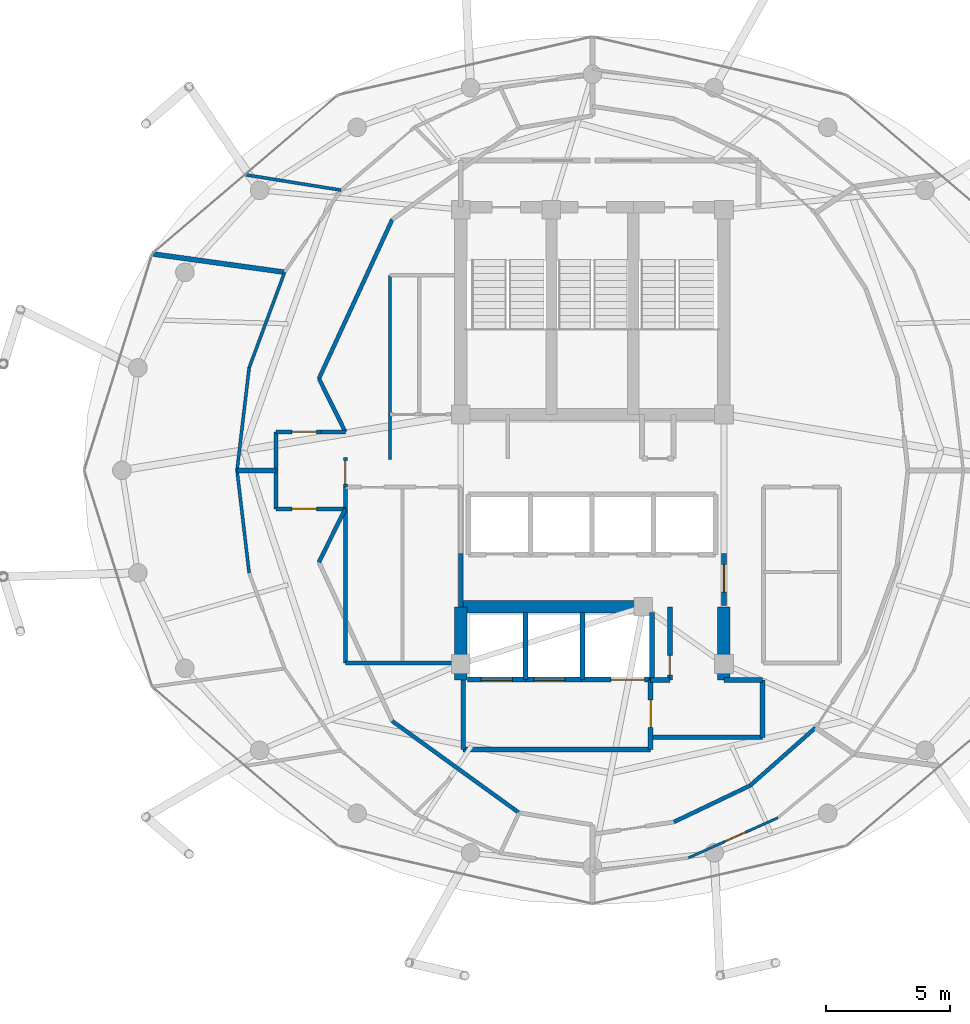
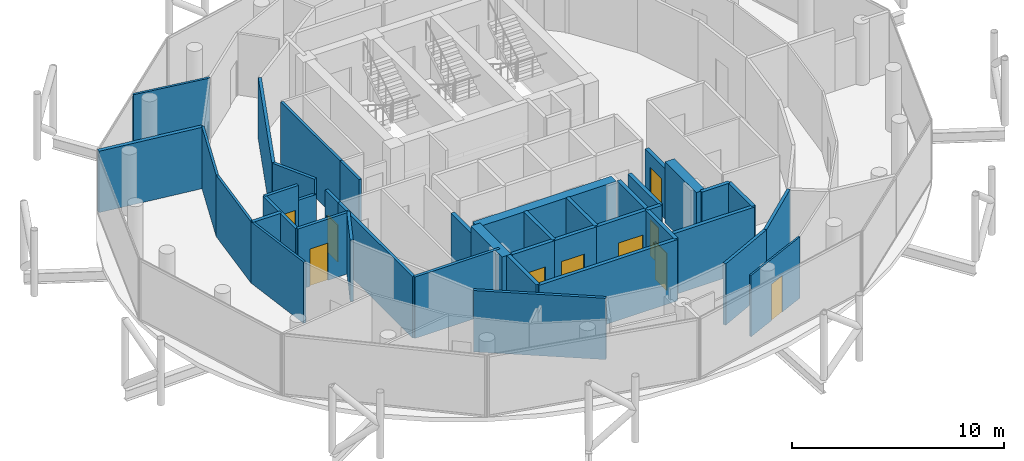
# One storey, part 20 of 24: 41 walls, 10 doors, 10 openings.
"""IFC4 building model written with IfcOpenShell, lengths in metres."""

from ifc_helpers import new_model, si_unit, direction, frame, frame_2d, origin, place, context, subcontext, project, spatial, rectangle, extrude, material, layer, layer_set, type_object, element, fill, save


model = new_model("IFC4")

# Units and contexts
model_context = context("Model", 3, precision=1e-05, world=origin(), true_north=direction((0.0, 1.0)))
body_context = subcontext(model_context, "Body", "Model", "MODEL_VIEW")
ifc_project = project(units=[si_unit("LENGTHUNIT", "METRE"), si_unit("AREAUNIT", "SQUARE_METRE"), si_unit("VOLUMEUNIT", "CUBIC_METRE"), si_unit("PLANEANGLEUNIT", "RADIAN"), si_unit("MASSUNIT", "GRAM", prefix="KILO")], contexts=[model_context])

# Site, building, storey
site_placement = place(None, origin())
site = spatial("IfcSite", under=ifc_project, at=site_placement, CompositionType="ELEMENT")
building_placement = place(site_placement, origin())
building = spatial("IfcBuilding", under=site, at=building_placement, Name="Nuhasar Tower", CompositionType="ELEMENT")
storey_placement = place(building_placement, frame((0.0, 0.0, 267.0)))
storey = spatial("IfcBuildingStorey", under=building, at=storey_placement, Name="L66", CompositionType="ELEMENT", Elevation=267.0)

# Walls
ifc_material_1 = material(Name="Concrete C50/60", Category="concrete")
ifc_layer_1 = layer(ifc_material_1, 0.5)
ifc_layer_set_1 = layer_set([ifc_layer_1], Name="Concrete C50/60")
wall_type_1 = type_object("IfcWallType", Name="WL-CORE-500", PredefinedType="SHEAR", material=ifc_layer_set_1)
for number, where, z_axis, x_axis, name in (
    (1, (33.699951171875, 18.35009765625, 0.0), (0.0, 0.0, 1.0), (0.0, 1.0, 0.0), "L66 Core Shear Wall CW-SW CW-500"),
    (2, (44.300048828125, 18.35009765625, 0.0), (0.0, 0.0, 1.0), (0.0, 1.0, 0.0), "L66 Core Shear Wall CW-SE CW-500"),
):
    element("IfcWall", number, at=place(storey_placement, frame(where, z_axis=z_axis, x_axis=x_axis)), inside=storey, type_object=wall_type_1, Name=name, PredefinedType="SHEAR", context=body_context, shape_type="SweptSolid", body=[
        extrude(rectangle(XDim=2.949951171875, YDim=0.5, at=frame_2d((1.47509765625, 0.0))), origin(), (0.0, 0.0, 1.0), 3.5400390625),
    ])
wall_1_placement = place(storey_placement, frame((33.699951171875, 21.300048828125, 0.0), z_axis=(0.0, 0.0, 1.0), x_axis=(1.0, 0.0, 0.0)))
element("IfcWall", 3, at=wall_1_placement, inside=storey, type_object=wall_type_1, Name="L66 Core Shear Wall CW-S1 CW-500", PredefinedType="SHEAR", context=body_context, shape_type="SweptSolid", body=[
    extrude(rectangle(XDim=7.550048828125, YDim=0.5, at=frame_2d((3.77490234375, 0.0))), origin(), (0.0, 0.0, 1.0), 3.5400390625),
])
ifc_material_2 = material(Name="Gypsum Board", Category="gypsum")
ifc_layer_2 = layer(ifc_material_2, 0.159912109375)
ifc_layer_set_2 = layer_set([ifc_layer_2], Name="Gypsum Board")
wall_type_2 = type_object("IfcWallType", Name="WL-CORR-160", PredefinedType="PARTITIONING", material=ifc_layer_set_2)
wall_2_placement = place(storey_placement, frame((29.050048828125, 19.050048828125, 0.0), z_axis=(0.0, 0.0, 1.0), x_axis=(1.0, 0.0, 0.0)))
element("IfcWall", 4, at=wall_2_placement, inside=storey, type_object=wall_type_2, Name="L66 Interior Partition RECL-B1-S", PredefinedType="PARTITIONING", context=body_context, shape_type="SweptSolid", body=[
    extrude(rectangle(XDim=4.64990234375, YDim=0.159912109375, at=frame_2d((2.324951171875, 0.0))), origin(), (0.0, 0.0, 1.0), 3.5400390625),
])
wall_3_placement = place(storey_placement, frame((29.050048828125, 19.050048828125, 0.0), z_axis=(0.0, 0.0, 1.0), x_axis=(0.0, 1.0, 0.0)))
element("IfcWall", 5, at=wall_3_placement, inside=storey, type_object=wall_type_2, Name="L66 Interior Partition RECL-B1-W", PredefinedType="PARTITIONING", context=body_context, shape_type="SweptSolid", body=[
    extrude(rectangle(XDim=7.070068359375, YDim=0.159912109375, at=frame_2d((3.53515625, 0.0))), origin(), (0.0, 0.0, 1.0), 3.5400390625),
])

# Wall, opening, door
wall_4_placement = place(storey_placement, frame((29.050048828125, 26.1201171875, 0.0), z_axis=(0.0, 0.0, 1.0), x_axis=(0.0, 1.0, 0.0)))
wall_4 = element("IfcWall", 6, at=wall_4_placement, inside=storey, type_object=wall_type_2, Name="L66 Interior Partition WVEST-E", PredefinedType="PARTITIONING", context=body_context, shape_type="SweptSolid", body=[
    extrude(rectangle(XDim=1.199951171875, YDim=0.159912109375, at=frame_2d((0.60009765625, 0.0))), origin(), (0.0, 0.0, 1.0), 3.5400390625),
])
opening_1_placement = place(wall_4_placement, frame((0.125, 0.0, 0.0)))
opening_1 = element("IfcOpeningElement", 7, at=opening_1_placement, cuts=wall_4, Name="Opening DO-01", PredefinedType="OPENING", context=body_context, shape_type="SweptSolid", body=[
    extrude(rectangle(XDim=0.949951171875, YDim=2.14990234375, at=frame_2d((0.47509765625, 1.074951171875))), frame((0.0, 0.08984375, 0.0), z_axis=(0.0, -1.0, 0.0), x_axis=(1.0, 0.0, 0.0)), (0.0, 0.0, 1.0), 0.179931640625),
])
ifc_material_3 = material(Name="Timber Oak", Category="wood")
door_type_1 = type_object("IfcDoorType", Name="DR-OFFICE-FD30-950", OperationType="NOTDEFINED", PredefinedType="DOOR", material=ifc_material_3)
door_1_placement = place(opening_1_placement, origin())
door_1 = element("IfcDoor", 8, at=door_1_placement, inside=storey, type_object=door_type_1, Name="L66 West Arrival Foyer Core Door", OperationType="SINGLE_SWING_RIGHT", OverallHeight=2.14990234375, OverallWidth=0.949951171875, PredefinedType="DOOR", context=body_context, shape_type="SweptSolid", body=[
    extrude(rectangle(XDim=0.949951171875, YDim=2.14990234375, at=frame_2d((0.47509765625, 1.074951171875))), frame((0.0, 0.02490234375, 0.0), z_axis=(0.0, -1.0, 0.0), x_axis=(1.0, 0.0, 0.0)), (0.0, 0.0, 1.0), 0.050048828125),
])
fill(opening_1, door_1)

# Walls
wall_5_placement = place(storey_placement, frame((42.2900390625, 12.639892578125, 0.0), z_axis=(0.0, 0.0, 1.0), x_axis=(0.902332393805, 0.431040892596, 0.0)))
element("IfcWall", 9, at=wall_5_placement, inside=storey, type_object=wall_type_2, Name="L66 Interior Partition CORR-38", PredefinedType="PARTITIONING", context=body_context, shape_type="SweptSolid", body=[
    extrude(rectangle(XDim=3.396728515625, YDim=0.159912109375, at=frame_2d((1.6982421875, 0.0))), origin(), (0.0, 0.0, 1.0), 3.5400390625),
])
wall_6_placement = place(storey_placement, frame((45.35498046875, 14.10400390625, 0.0), z_axis=(0.0, 0.0, 1.0), x_axis=(0.748756574311, 0.662845074226, 0.0)))
element("IfcWall", 10, at=wall_6_placement, inside=storey, type_object=wall_type_2, Name="L66 Interior Partition CORR-40", PredefinedType="PARTITIONING", context=body_context, shape_type="SweptSolid", body=[
    extrude(rectangle(XDim=3.515380859375, YDim=0.159912109375, at=frame_2d((1.7578125, 0.0))), origin(), (0.0, 0.0, 1.0), 3.5400390625),
])
wall_7_placement = place(storey_placement, frame((30.93896484375, 36.89697265625, 0.0), z_axis=(0.0, 0.0, 1.0), x_axis=(-0.41866934876, -0.908138742929, 0.0)))
element("IfcWall", 11, at=wall_7_placement, inside=storey, type_object=wall_type_2, Name="L66 Interior Partition UWEST-CORE-N2-18", PredefinedType="PARTITIONING", context=body_context, shape_type="SweptSolid", body=[
    extrude(rectangle(XDim=7.04833984375, YDim=0.159912109375, at=frame_2d((3.524169921875, 0.0))), origin(), (0.0, 0.0, 1.0), 3.5400390625),
])
wall_8_placement = place(storey_placement, frame((30.93896484375, 16.702880859375, 0.0), z_axis=(0.0, 0.0, 1.0), x_axis=(0.810290119061, -0.586028943784, 0.0)))
element("IfcWall", 12, at=wall_8_placement, inside=storey, type_object=wall_type_2, Name="L66 Interior Partition UWEST-CORE-S1-30", PredefinedType="PARTITIONING", context=body_context, shape_type="SweptSolid", body=[
    extrude(rectangle(XDim=6.306396484375, YDim=0.159912109375, at=frame_2d((3.1533203125, 0.0))), origin(), (0.0, 0.0, 1.0), 3.5400390625),
])

# Wall, opening, door
wall_9_placement = place(storey_placement, frame((26.25, 28.35009765625, 0.0), z_axis=(0.0, 0.0, 1.0), x_axis=(1.0, 0.0, 0.0)))
wall_9 = element("IfcWall", 13, at=wall_9_placement, inside=storey, type_object=wall_type_2, Name="L66 Interior Partition WVEST-N", PredefinedType="PARTITIONING", context=body_context, shape_type="SweptSolid", body=[
    extrude(rectangle(XDim=1.820068359375, YDim=0.159912109375, at=frame_2d((0.91015625, 0.0))), origin(), (0.0, 0.0, 1.0), 3.5400390625),
])
opening_2_placement = place(wall_9_placement, frame((0.64990234375, 0.0, 0.0)))
opening_2 = element("IfcOpeningElement", 14, at=opening_2_placement, cuts=wall_9, Name="Opening DU-02", PredefinedType="OPENING", context=body_context, shape_type="SweptSolid", body=[
    extrude(rectangle(XDim=1.0, YDim=2.14990234375, at=frame_2d((0.5, 1.074951171875))), frame((0.0, 0.08984375, 0.0), z_axis=(0.0, -1.0, 0.0), x_axis=(1.0, 0.0, 0.0)), (0.0, 0.0, 1.0), 0.179931640625),
])
door_type_2 = type_object("IfcDoorType", Name="DR-FLAT-FD60-1000", OperationType="NOTDEFINED", PredefinedType="DOOR", material=ifc_material_3)
door_2_placement = place(opening_2_placement, origin())
door_2 = element("IfcDoor", 15, at=door_2_placement, inside=storey, type_object=door_type_2, Name="L66 North-West Sky Home Entrance", OperationType="SINGLE_SWING_LEFT", OverallHeight=2.14990234375, OverallWidth=1.0, PredefinedType="DOOR", context=body_context, shape_type="SweptSolid", body=[
    extrude(rectangle(XDim=1.0, YDim=2.14990234375, at=frame_2d((0.5, 1.074951171875))), frame((0.0, 0.02490234375, 0.0), z_axis=(0.0, -1.0, 0.0), x_axis=(1.0, 0.0, 0.0)), (0.0, 0.0, 1.0), 0.050048828125),
])
fill(opening_2, door_2)

# Wall
wall_10_placement = place(storey_placement, frame((28.070068359375, 28.35009765625, 0.0), z_axis=(0.0, 0.0, 1.0), x_axis=(1.0, 0.0, 0.0)))
element("IfcWall", 16, at=wall_10_placement, inside=storey, type_object=wall_type_2, Name="L66 Interior Partition WVEST-N", PredefinedType="PARTITIONING", context=body_context, shape_type="SweptSolid", body=[
    extrude(rectangle(XDim=0.97998046875, YDim=0.159912109375, at=frame_2d((0.489990234375, 0.0))), origin(), (0.0, 0.0, 1.0), 2.679931640625),
])

# Wall, opening, door
wall_11_placement = place(storey_placement, frame((26.25, 25.25, 0.0), z_axis=(0.0, 0.0, 1.0), x_axis=(1.0, 0.0, 0.0)))
wall_11 = element("IfcWall", 17, at=wall_11_placement, inside=storey, type_object=wall_type_2, Name="L66 Interior Partition WVEST-S", PredefinedType="PARTITIONING", context=body_context, shape_type="SweptSolid", body=[
    extrude(rectangle(XDim=2.800048828125, YDim=0.159912109375, at=frame_2d((1.39990234375, 0.0))), origin(), (0.0, 0.0, 1.0), 3.5400390625),
])
opening_3_placement = place(wall_11_placement, frame((0.64990234375, 0.0, 0.0)))
opening_3 = element("IfcOpeningElement", 18, at=opening_3_placement, cuts=wall_11, Name="Opening DU-02", PredefinedType="OPENING", context=body_context, shape_type="SweptSolid", body=[
    extrude(rectangle(XDim=1.0, YDim=2.14990234375, at=frame_2d((0.5, 1.074951171875))), frame((0.0, 0.08984375, 0.0), z_axis=(0.0, -1.0, 0.0), x_axis=(1.0, 0.0, 0.0)), (0.0, 0.0, 1.0), 0.179931640625),
])
door_3_placement = place(opening_3_placement, origin())
door_3 = element("IfcDoor", 19, at=door_3_placement, inside=storey, type_object=door_type_2, Name="L66 South-West Sky Home Entrance", OperationType="SINGLE_SWING_LEFT", OverallHeight=2.14990234375, OverallWidth=1.0, PredefinedType="DOOR", context=body_context, shape_type="SweptSolid", body=[
    extrude(rectangle(XDim=1.0, YDim=2.14990234375, at=frame_2d((0.5, 1.074951171875))), frame((0.0, 0.02490234375, 0.0), z_axis=(0.0, -1.0, 0.0), x_axis=(1.0, 0.0, 0.0)), (0.0, 0.0, 1.0), 0.050048828125),
])
fill(opening_3, door_3)

# Walls
wall_12_placement = place(storey_placement, frame((26.25, 25.25, 0.0), z_axis=(0.0, 0.0, 1.0), x_axis=(0.0, 1.0, 0.0)))
element("IfcWall", 20, at=wall_12_placement, inside=storey, type_object=wall_type_2, Name="L66 Interior Partition WVEST-W", PredefinedType="PARTITIONING", context=body_context, shape_type="SweptSolid", body=[
    extrude(rectangle(XDim=3.10009765625, YDim=0.159912109375, at=frame_2d((1.550048828125, 0.0))), origin(), (0.0, 0.0, 1.0), 3.5400390625),
])
for number, where, z_axis, x_axis, name in (
    (21, (27.988037109375, 30.49609375, 0.0), (0.0, 0.0, 1.0), (0.443539160525, -0.896254993337, 0.0), "L66 Interior Partition WVEST-CN"),
    (22, (27.988037109375, 23.10400390625, 0.0), (0.0, 0.0, 1.0), (0.443539160525, 0.896254993337, 0.0), "L66 Interior Partition WVEST-CS"),
):
    element("IfcWall", number, at=place(storey_placement, frame(where, z_axis=z_axis, x_axis=x_axis)), inside=storey, type_object=wall_type_2, Name=name, PredefinedType="PARTITIONING", context=body_context, shape_type="SweptSolid", body=[
        extrude(rectangle(XDim=2.394287109375, YDim=0.159912109375, at=frame_2d((1.197265625, 0.0))), origin(), (0.0, 0.0, 1.0), 3.5400390625),
    ])
ifc_material_4 = material(Name="Concrete C45/55", Category="concrete")
ifc_layer_3 = layer(ifc_material_4, 0.199951171875)
ifc_layer_set_3 = layer_set([ifc_layer_3], Name="Concrete C45/55")
wall_type_3 = type_object("IfcWallType", Name="WL-LOBBY-200", PredefinedType="SOLIDWALL", material=ifc_layer_set_3)
wall_13_placement = place(storey_placement, frame((33.699951171875, 21.300048828125, 0.0), z_axis=(0.0, 0.0, 1.0), x_axis=(0.0, 1.0, 0.0)))
element("IfcWall", 23, at=wall_13_placement, inside=storey, type_object=wall_type_3, Name="L66 Interior Partition LLBH-W", PredefinedType="SOLIDWALL", context=body_context, shape_type="SweptSolid", body=[
    extrude(rectangle(XDim=2.14990234375, YDim=0.199951171875, at=frame_2d((1.074951171875, 0.0))), origin(), (0.0, 0.0, 1.0), 2.925048828125),
])

# Wall, opening, door
wall_14_placement = place(storey_placement, frame((44.300048828125, 21.35009765625, 0.0), z_axis=(0.0, 0.0, 1.0), x_axis=(0.0, 1.0, 0.0)))
wall_14 = element("IfcWall", 24, at=wall_14_placement, inside=storey, type_object=wall_type_3, Name="L66 Interior Partition LLBH-E", PredefinedType="SOLIDWALL", context=body_context, shape_type="SweptSolid", body=[
    extrude(rectangle(XDim=2.099853515625, YDim=0.199951171875, at=frame_2d((1.0498046875, 0.0))), origin(), (0.0, 0.0, 1.0), 2.925048828125),
])
opening_4_placement = place(wall_14_placement, frame((0.550048828125, 0.0, 0.0)))
opening_4 = element("IfcOpeningElement", 25, at=opening_4_placement, cuts=wall_14, Name="Opening DS-02", PredefinedType="OPENING", context=body_context, shape_type="SweptSolid", body=[
    extrude(rectangle(XDim=1.10009765625, YDim=2.14990234375, at=frame_2d((0.550048828125, 1.074951171875))), frame((0.0, 0.10986328125, 0.0), z_axis=(0.0, -1.0, 0.0), x_axis=(1.0, 0.0, 0.0)), (0.0, 0.0, 1.0), 0.219970703125),
])
ifc_material_5 = material(Name="Steel S355", Category="steel")
door_type_3 = type_object("IfcDoorType", Name="DR-FFL-FD120-1100", OperationType="NOTDEFINED", PredefinedType="DOOR", material=ifc_material_5)
door_4_placement = place(opening_4_placement, origin())
door_4 = element("IfcDoor", 26, at=door_4_placement, inside=storey, type_object=door_type_3, Name="L66 High-Rise Lobby East Door", OperationType="SINGLE_SWING_RIGHT", OverallHeight=2.14990234375, OverallWidth=1.10009765625, PredefinedType="DOOR", context=body_context, shape_type="SweptSolid", body=[
    extrude(rectangle(XDim=1.10009765625, YDim=2.14990234375, at=frame_2d((0.550048828125, 1.074951171875))), frame((0.0, 0.02490234375, 0.0), z_axis=(0.0, -1.0, 0.0), x_axis=(1.0, 0.0, 0.0)), (0.0, 0.0, 1.0), 0.050048828125),
])
fill(opening_4, door_4)

# Walls
wall_15_placement = place(storey_placement, frame((33.800048828125, 15.550048828125, 0.0), z_axis=(0.0, 0.0, 1.0), x_axis=(1.0, 0.0, 0.0)))
element("IfcWall", 27, at=wall_15_placement, inside=storey, type_object=wall_type_3, Name="L66 Interior Partition FFL-S", PredefinedType="SOLIDWALL", context=body_context, shape_type="SweptSolid", body=[
    extrude(rectangle(XDim=7.550048828125, YDim=0.199951171875, at=frame_2d((3.77490234375, 0.0))), origin(), (0.0, 0.0, 1.0), 3.5400390625),
])
wall_16_placement = place(storey_placement, frame((33.800048828125, 15.550048828125, 0.0), z_axis=(0.0, 0.0, 1.0), x_axis=(0.0, 1.0, 0.0)))
element("IfcWall", 28, at=wall_16_placement, inside=storey, type_object=wall_type_3, Name="L66 Interior Partition FFL-W", PredefinedType="SOLIDWALL", context=body_context, shape_type="SweptSolid", body=[
    extrude(rectangle(XDim=2.800048828125, YDim=0.199951171875, at=frame_2d((1.39990234375, 0.0))), origin(), (0.0, 0.0, 1.0), 3.5400390625),
])

# Wall, opening, door
wall_17_placement = place(storey_placement, frame((41.35009765625, 15.550048828125, 0.0), z_axis=(0.0, 0.0, 1.0), x_axis=(0.0, 1.0, 0.0)))
wall_17 = element("IfcWall", 29, at=wall_17_placement, inside=storey, type_object=wall_type_3, Name="L66 Interior Partition FFL-E", PredefinedType="SOLIDWALL", context=body_context, shape_type="SweptSolid", body=[
    extrude(rectangle(XDim=2.800048828125, YDim=0.199951171875, at=frame_2d((1.39990234375, 0.0))), origin(), (0.0, 0.0, 1.0), 3.5400390625),
])
opening_5_placement = place(wall_17_placement, frame((0.89990234375, 0.0, 0.0)))
opening_5 = element("IfcOpeningElement", 30, at=opening_5_placement, cuts=wall_17, Name="Opening DS-02", PredefinedType="OPENING", context=body_context, shape_type="SweptSolid", body=[
    extrude(rectangle(XDim=1.10009765625, YDim=2.14990234375, at=frame_2d((0.550048828125, 1.074951171875))), frame((0.0, 0.10986328125, 0.0), z_axis=(0.0, -1.0, 0.0), x_axis=(1.0, 0.0, 0.0)), (0.0, 0.0, 1.0), 0.219970703125),
])
door_5_placement = place(opening_5_placement, origin())
door_5 = element("IfcDoor", 31, at=door_5_placement, inside=storey, type_object=door_type_3, Name="L66 Firefighting Lobby Door", OperationType="SINGLE_SWING_RIGHT", OverallHeight=2.14990234375, OverallWidth=1.10009765625, PredefinedType="DOOR", context=body_context, shape_type="SweptSolid", body=[
    extrude(rectangle(XDim=1.10009765625, YDim=2.14990234375, at=frame_2d((0.550048828125, 1.074951171875))), frame((0.0, 0.02490234375, 0.0), z_axis=(0.0, -1.0, 0.0), x_axis=(1.0, 0.0, 0.0)), (0.0, 0.0, 1.0), 0.050048828125),
])
fill(opening_5, door_5)

# Walls
wall_18_placement = place(storey_placement, frame((41.35009765625, 16.050048828125, 0.0), z_axis=(0.0, 0.0, 1.0), x_axis=(1.0, 0.0, 0.0)))
element("IfcWall", 32, at=wall_18_placement, inside=storey, type_object=wall_type_3, Name="L66 Interior Partition SVLV-S", PredefinedType="SOLIDWALL", context=body_context, shape_type="SweptSolid", body=[
    extrude(rectangle(XDim=4.5, YDim=0.199951171875, at=frame_2d((2.25, 0.0))), origin(), (0.0, 0.0, 1.0), 3.5400390625),
])
wall_19_placement = place(storey_placement, frame((45.85009765625, 16.050048828125, 0.0), z_axis=(0.0, 0.0, 1.0), x_axis=(0.0, 1.0, 0.0)))
element("IfcWall", 33, at=wall_19_placement, inside=storey, type_object=wall_type_3, Name="L66 Interior Partition SVLV-E", PredefinedType="SOLIDWALL", context=body_context, shape_type="SweptSolid", body=[
    extrude(rectangle(XDim=2.300048828125, YDim=0.199951171875, at=frame_2d((1.14990234375, 0.0))), origin(), (0.0, 0.0, 1.0), 3.5400390625),
])
wall_20_placement = place(storey_placement, frame((44.300048828125, 18.35009765625, 0.0), z_axis=(0.0, 0.0, 1.0), x_axis=(1.0, 0.0, 0.0)))
element("IfcWall", 34, at=wall_20_placement, inside=storey, type_object=wall_type_3, Name="L66 Interior Partition SVLV-N", PredefinedType="SOLIDWALL", context=body_context, shape_type="SweptSolid", body=[
    extrude(rectangle(XDim=1.550048828125, YDim=0.199951171875, at=frame_2d((0.77490234375, 0.0))), origin(), (0.0, 0.0, 1.0), 3.5400390625),
])

# Wall, opening, door
ifc_material_6 = material(Name="Aluminium 6063-T6", Category="aluminium")
ifc_layer_4 = layer(ifc_material_6, 0.10009765625)
ifc_layer_set_4 = layer_set([ifc_layer_4], Name="Aluminium 6063-T6")
wall_type_4 = type_object("IfcWallType", Name="WL-MOVABLE-100", PredefinedType="MOVABLE", material=ifc_layer_set_4)
wall_21_placement = place(storey_placement, frame((42.866943359375, 11.19091796875, 0.0), z_axis=(0.0, 0.0, 1.0), x_axis=(0.912616745569, 0.408816188166, 0.0)))
wall_21 = element("IfcWall", 35, at=wall_21_placement, inside=storey, type_object=wall_type_4, Name="L66 Interior Partition UMID5-01-38", PredefinedType="MOVABLE", context=body_context, shape_type="SweptSolid", body=[
    extrude(rectangle(XDim=3.947998046875, YDim=0.10009765625, at=frame_2d((1.97412109375, 0.0))), origin(), (0.0, 0.0, 1.0), 3.5400390625),
])
opening_6_placement = place(wall_21_placement, frame((1.6259765625, 0.0, 0.0)))
opening_6 = element("IfcOpeningElement", 36, at=opening_6_placement, cuts=wall_21, Name="Opening DR-01", PredefinedType="OPENING", context=body_context, shape_type="SweptSolid", body=[
    extrude(rectangle(XDim=0.89990234375, YDim=2.10009765625, at=frame_2d((0.449951171875, 1.050048828125))), frame((0.0, 0.06005859375, 0.0), z_axis=(0.0, -1.0, 0.0), x_axis=(1.0, 0.0, 0.0)), (0.0, 0.0, 1.0), 0.1201171875),
])
door_type_4 = type_object("IfcDoorType", Name="DR-ROOM-900", OperationType="NOTDEFINED", PredefinedType="DOOR", material=ifc_material_3)
door_6_placement = place(opening_6_placement, origin())
door_6 = element("IfcDoor", 37, at=door_6_placement, inside=storey, type_object=door_type_4, Name="L66 Private Chancellery Office 1 Inner Door", OperationType="SINGLE_SWING_RIGHT", OverallHeight=2.10009765625, OverallWidth=0.89990234375, PredefinedType="DOOR", context=body_context, shape_type="SweptSolid", body=[
    extrude(rectangle(XDim=0.89990234375, YDim=2.10009765625, at=frame_2d((0.449951171875, 1.050048828125))), frame((0.0, 0.02490234375, 0.0), z_axis=(0.0, -1.0, 0.0), x_axis=(1.0, 0.0, 0.0)), (0.0, 0.0, 1.0), 0.050048828125),
])
fill(opening_6, door_6)

# Walls
ifc_layer_5 = layer(ifc_material_2, 0.125)
ifc_layer_set_5 = layer_set([ifc_layer_5], Name="Gypsum Board")
wall_type_5 = type_object("IfcWallType", Name="WL-PART-125", PredefinedType="PARTITIONING", material=ifc_layer_set_5)
wall_22_placement = place(storey_placement, frame((26.60693359375, 34.780029296875, 0.0), z_axis=(0.0, 0.0, 1.0), x_axis=(-0.348032750503, -0.937482375609, 0.0)))
element("IfcWall", 38, at=wall_22_placement, inside=storey, type_object=wall_type_5, Name="L66 Interior Partition USM-1-D-20", PredefinedType="PARTITIONING", context=body_context, shape_type="SweptSolid", body=[
    extrude(rectangle(XDim=4.105712890625, YDim=0.125, at=frame_2d((2.052734375, 0.0))), origin(), (0.0, 0.0, 1.0), 3.5400390625),
])
wall_23_placement = place(storey_placement, frame((25.177978515625, 30.930908203125, 0.0), z_axis=(0.0, 0.0, 1.0), x_axis=(-0.117328208879, -0.993093193714, 0.0)))
element("IfcWall", 39, at=wall_23_placement, inside=storey, type_object=wall_type_5, Name="L66 Interior Partition USM-1-D-22", PredefinedType="PARTITIONING", context=body_context, shape_type="SweptSolid", body=[
    extrude(rectangle(XDim=4.15966796875, YDim=0.125, at=frame_2d((2.079833984375, 0.0))), origin(), (0.0, 0.0, 1.0), 3.5400390625),
])
wall_24_placement = place(storey_placement, frame((28.881103515625, 38.0849609375, 0.0), z_axis=(0.0, 0.0, 1.0), x_axis=(-0.987319807671, 0.158743810525, 0.0)))
element("IfcWall", 40, at=wall_24_placement, inside=storey, type_object=wall_type_5, Name="L66 Interior Partition USO-1-BD", PredefinedType="PARTITIONING", context=body_context, shape_type="SweptSolid", body=[
    extrude(rectangle(XDim=3.88037109375, YDim=0.125, at=frame_2d((1.940185546875, 0.0))), origin(), (0.0, 0.0, 1.0), 3.5400390625),
])
wall_25_placement = place(storey_placement, frame((24.68994140625, 26.800048828125, 0.0), z_axis=(0.0, 0.0, 1.0), x_axis=(0.11732137044, -0.993094001612, 0.0)))
element("IfcWall", 41, at=wall_25_placement, inside=storey, type_object=wall_type_5, Name="L66 Interior Partition USM-2-D-24", PredefinedType="PARTITIONING", context=body_context, shape_type="SweptSolid", body=[
    extrude(rectangle(XDim=4.159912109375, YDim=0.125, at=frame_2d((2.080078125, 0.0))), origin(), (0.0, 0.0, 1.0), 3.5400390625),
])

# Wall, opening, door
ifc_layer_6 = layer(ifc_material_4, 0.199951171875)
ifc_layer_set_6 = layer_set([ifc_layer_6], Name="Concrete C45/55")
wall_type_6 = type_object("IfcWallType", Name="WL-SHAFT-200", PredefinedType="SOLIDWALL", material=ifc_layer_set_6)
wall_26_placement = place(storey_placement, frame((33.969970703125, 18.3701171875, 0.0), z_axis=(0.0, 0.0, 1.0), x_axis=(1.0, 0.0, 0.0)))
wall_26 = element("IfcWall", 42, at=wall_26_placement, inside=storey, type_object=wall_type_6, Name="L66 Interior Partition SHF-FFL-01-S", PredefinedType="SOLIDWALL", context=body_context, shape_type="SweptSolid", body=[
    extrude(rectangle(XDim=2.360107421875, YDim=0.199951171875, at=frame_2d((1.18017578125, 0.0))), origin(), (0.0, 0.0, 1.0), 3.5400390625),
])
opening_7_placement = place(wall_26_placement, frame((0.554931640625, 0.0, 0.0)))
opening_7 = element("IfcOpeningElement", 43, at=opening_7_placement, cuts=wall_26, Name="Opening LD-F01", PredefinedType="OPENING", context=body_context, shape_type="SweptSolid", body=[
    extrude(rectangle(XDim=1.25, YDim=2.199951171875, at=frame_2d((0.625, 1.10009765625))), frame((0.0, 0.10986328125, 0.0), z_axis=(0.0, -1.0, 0.0), x_axis=(1.0, 0.0, 0.0)), (0.0, 0.0, 1.0), 0.219970703125),
])
ifc_material_7 = material(Name="Stainless Steel 316L", Category="steel")
door_type_5 = type_object("IfcDoorType", Name="LD-FFL-1250", OperationType="DOUBLE_DOOR_SLIDING", PredefinedType="DOOR", material=ifc_material_7)
door_7_placement = place(opening_7_placement, origin())
door_7 = element("IfcDoor", 44, at=door_7_placement, inside=storey, type_object=door_type_5, Name="L66 Lift Landing Door FFL-01", OperationType="DOUBLE_DOOR_SLIDING", OverallHeight=2.199951171875, OverallWidth=1.25, PredefinedType="DOOR", context=body_context, shape_type="SweptSolid", body=[
    extrude(rectangle(XDim=1.25, YDim=2.199951171875, at=frame_2d((0.625, 1.10009765625))), frame((0.0, 0.02490234375, 0.0), z_axis=(0.0, -1.0, 0.0), x_axis=(1.0, 0.0, 0.0)), (0.0, 0.0, 1.0), 0.050048828125),
])
fill(opening_7, door_7)

# Wall
wall_27_placement = place(storey_placement, frame((36.300048828125, 18.3701171875, 0.0), z_axis=(0.0, 0.0, 1.0), x_axis=(0.0, 1.0, 0.0)))
element("IfcWall", 45, at=wall_27_placement, inside=storey, type_object=wall_type_6, Name="L66 Interior Partition SHF-FFL-01-E", PredefinedType="SOLIDWALL", context=body_context, shape_type="SweptSolid", body=[
    extrude(rectangle(XDim=2.7099609375, YDim=0.199951171875, at=frame_2d((1.35498046875, 0.0))), origin(), (0.0, 0.0, 1.0), 3.5400390625),
])

# Wall, opening, door
wall_28_placement = place(storey_placement, frame((36.27001953125, 18.3701171875, 0.0), z_axis=(0.0, 0.0, 1.0), x_axis=(1.0, 0.0, 0.0)))
wall_28 = element("IfcWall", 46, at=wall_28_placement, inside=storey, type_object=wall_type_6, Name="L66 Interior Partition SHF-FFL-02-S", PredefinedType="SOLIDWALL", context=body_context, shape_type="SweptSolid", body=[
    extrude(rectangle(XDim=2.35986328125, YDim=0.199951171875, at=frame_2d((1.179931640625, 0.0))), origin(), (0.0, 0.0, 1.0), 3.5400390625),
])
opening_8_placement = place(wall_28_placement, frame((0.3798828125, 0.0, 0.0)))
opening_8 = element("IfcOpeningElement", 47, at=opening_8_placement, cuts=wall_28, Name="Opening LD-F02", PredefinedType="OPENING", context=body_context, shape_type="SweptSolid", body=[
    extrude(rectangle(XDim=1.25, YDim=2.199951171875, at=frame_2d((0.625, 1.10009765625))), frame((0.0, 0.10986328125, 0.0), z_axis=(0.0, -1.0, 0.0), x_axis=(1.0, 0.0, 0.0)), (0.0, 0.0, 1.0), 0.219970703125),
])
door_8_placement = place(opening_8_placement, origin())
door_8 = element("IfcDoor", 48, at=door_8_placement, inside=storey, type_object=door_type_5, Name="L66 Lift Landing Door FFL-02", OperationType="DOUBLE_DOOR_SLIDING", OverallHeight=2.199951171875, OverallWidth=1.25, PredefinedType="DOOR", context=body_context, shape_type="SweptSolid", body=[
    extrude(rectangle(XDim=1.25, YDim=2.199951171875, at=frame_2d((0.625, 1.10009765625))), frame((0.0, 0.02490234375, 0.0), z_axis=(0.0, -1.0, 0.0), x_axis=(1.0, 0.0, 0.0)), (0.0, 0.0, 1.0), 0.050048828125),
])
fill(opening_8, door_8)

# Wall
wall_29_placement = place(storey_placement, frame((38.60009765625, 18.3701171875, 0.0), z_axis=(0.0, 0.0, 1.0), x_axis=(0.0, 1.0, 0.0)))
element("IfcWall", 49, at=wall_29_placement, inside=storey, type_object=wall_type_6, Name="L66 Interior Partition SHF-FFL-02-E", PredefinedType="SOLIDWALL", context=body_context, shape_type="SweptSolid", body=[
    extrude(rectangle(XDim=2.7099609375, YDim=0.199951171875, at=frame_2d((1.35498046875, 0.0))), origin(), (0.0, 0.0, 1.0), 3.5400390625),
])

# Wall, opening, door
wall_30_placement = place(storey_placement, frame((38.570068359375, 18.3701171875, 0.0), z_axis=(0.0, 0.0, 1.0), x_axis=(1.0, 0.0, 0.0)))
wall_30 = element("IfcWall", 50, at=wall_30_placement, inside=storey, type_object=wall_type_6, Name="L66 Interior Partition SHF-SVL-01-S", PredefinedType="SOLIDWALL", context=body_context, shape_type="SweptSolid", body=[
    extrude(rectangle(XDim=2.829833984375, YDim=0.199951171875, at=frame_2d((1.4150390625, 0.0))), origin(), (0.0, 0.0, 1.0), 3.5400390625),
])
opening_9_placement = place(wall_30_placement, frame((1.179931640625, 0.0, 0.0)))
opening_9 = element("IfcOpeningElement", 51, at=opening_9_placement, cuts=wall_30, Name="Opening LD-S01", PredefinedType="OPENING", context=body_context, shape_type="SweptSolid", body=[
    extrude(rectangle(XDim=1.35009765625, YDim=2.179931640625, at=frame_2d((0.675048828125, 1.08984375))), frame((0.0, 0.10986328125, 0.0), z_axis=(0.0, -1.0, 0.0), x_axis=(1.0, 0.0, 0.0)), (0.0, 0.0, 1.0), 0.219970703125),
])
door_type_6 = type_object("IfcDoorType", Name="LD-SVL-1350", OperationType="DOUBLE_DOOR_SLIDING", PredefinedType="DOOR", material=ifc_material_7)
door_9_placement = place(opening_9_placement, origin())
door_9 = element("IfcDoor", 52, at=door_9_placement, inside=storey, type_object=door_type_6, Name="L66 Lift Landing Door SVL-01", OperationType="DOUBLE_DOOR_SLIDING", OverallHeight=2.179931640625, OverallWidth=1.35009765625, PredefinedType="DOOR", context=body_context, shape_type="SweptSolid", body=[
    extrude(rectangle(XDim=1.35009765625, YDim=2.179931640625, at=frame_2d((0.675048828125, 1.08984375))), frame((0.0, 0.02490234375, 0.0), z_axis=(0.0, -1.0, 0.0), x_axis=(1.0, 0.0, 0.0)), (0.0, 0.0, 1.0), 0.050048828125),
])
fill(opening_9, door_9)

# Wall
wall_31_placement = place(storey_placement, frame((41.39990234375, 18.3701171875, 0.0), z_axis=(0.0, 0.0, 1.0), x_axis=(0.0, 1.0, 0.0)))
element("IfcWall", 53, at=wall_31_placement, inside=storey, type_object=wall_type_6, Name="L66 Interior Partition SHF-SVL-01-E", PredefinedType="SOLIDWALL", context=body_context, shape_type="SweptSolid", body=[
    extrude(rectangle(XDim=2.7099609375, YDim=0.199951171875, at=frame_2d((1.35498046875, 0.0))), origin(), (0.0, 0.0, 1.0), 3.5400390625),
])

# Wall, opening, door
wall_32_placement = place(storey_placement, frame((42.1201171875, 18.35009765625, 0.0), z_axis=(0.0, 0.0, 1.0), x_axis=(0.0, 1.0, 0.0)))
wall_32 = element("IfcWall", 54, at=wall_32_placement, inside=storey, type_object=wall_type_6, Name="L66 Interior Partition RSR-E", PredefinedType="SOLIDWALL", context=body_context, shape_type="SweptSolid", body=[
    extrude(rectangle(XDim=2.949951171875, YDim=0.199951171875, at=frame_2d((1.47509765625, 0.0))), origin(), (0.0, 0.0, 1.0), 3.5400390625),
])
opening_10_placement = place(wall_32_placement, frame((0.199951171875, 0.0, 0.0)))
opening_10 = element("IfcOpeningElement", 55, at=opening_10_placement, cuts=wall_32, Name="Opening DM-01", PredefinedType="OPENING", context=body_context, shape_type="SweptSolid", body=[
    extrude(rectangle(XDim=0.800048828125, YDim=2.050048828125, at=frame_2d((0.39990234375, 1.02490234375))), frame((0.0, 0.10986328125, 0.0), z_axis=(0.0, -1.0, 0.0), x_axis=(1.0, 0.0, 0.0)), (0.0, 0.0, 1.0), 0.219970703125),
])
door_type_7 = type_object("IfcDoorType", Name="DR-RISER-FD60-800", OperationType="NOTDEFINED", PredefinedType="DOOR", material=ifc_material_5)
door_10_placement = place(opening_10_placement, origin())
door_10 = element("IfcDoor", 56, at=door_10_placement, inside=storey, type_object=door_type_7, Name="L66 MEP Riser Access Door", OperationType="SINGLE_SWING_LEFT", OverallHeight=2.050048828125, OverallWidth=0.800048828125, PredefinedType="DOOR", context=body_context, shape_type="SweptSolid", body=[
    extrude(rectangle(XDim=0.800048828125, YDim=2.050048828125, at=frame_2d((0.39990234375, 1.02490234375))), frame((0.0, 0.02490234375, 0.0), z_axis=(0.0, -1.0, 0.0), x_axis=(1.0, 0.0, 0.0)), (0.0, 0.0, 1.0), 0.050048828125),
])
fill(opening_10, door_10)

# Walls
wall_33_placement = place(storey_placement, frame((41.35009765625, 18.35009765625, 0.0), z_axis=(0.0, 0.0, 1.0), x_axis=(1.0, 0.0, 0.0)))
element("IfcWall", 57, at=wall_33_placement, inside=storey, type_object=wall_type_6, Name="L66 Interior Partition RSR-S", PredefinedType="SOLIDWALL", context=body_context, shape_type="SweptSolid", body=[
    extrude(rectangle(XDim=0.77001953125, YDim=0.199951171875, at=frame_2d((0.385009765625, 0.0))), origin(), (0.0, 0.0, 1.0), 3.5400390625),
])
ifc_material_8 = material(Name="Concrete C40/50 precast", Category="concrete")
ifc_layer_7 = layer(ifc_material_8, 0.199951171875)
ifc_layer_set_7 = layer_set([ifc_layer_7], Name="Concrete C40/50 precast")
wall_type_7 = type_object("IfcWallType", Name="WL-UNIT-200", PredefinedType="PARTITIONING", material=ifc_layer_set_7)
wall_34_placement = place(storey_placement, frame((26.25, 26.800048828125, 0.0), z_axis=(0.0, 0.0, 1.0), x_axis=(-1.0, 0.0, 0.0)))
element("IfcWall", 58, at=wall_34_placement, inside=storey, type_object=wall_type_7, Name="L66 Interior Partition UWEST-PARTY-IN", PredefinedType="PARTITIONING", context=body_context, shape_type="SweptSolid", body=[
    extrude(rectangle(XDim=1.56005859375, YDim=0.199951171875, at=frame_2d((0.780029296875, 0.0))), origin(), (0.0, 0.0, 1.0), 3.5400390625),
])
wall_35_placement = place(storey_placement, frame((26.60693359375, 34.780029296875, 0.0), z_axis=(0.0, 0.0, 1.0), x_axis=(-0.99055921799, 0.137085504905, 0.0)))
element("IfcWall", 59, at=wall_35_placement, inside=storey, type_object=wall_type_7, Name="L66 Interior Partition UWEST-PARTY-OUT", PredefinedType="PARTITIONING", context=body_context, shape_type="SweptSolid", body=[
    extrude(rectangle(XDim=5.346435546875, YDim=0.199951171875, at=frame_2d((2.67333984375, 0.0))), origin(), (0.0, 0.0, 1.0), 3.5400390625),
])
ifc_layer_8 = layer(ifc_material_8, 0.139892578125)
ifc_layer_set_8 = layer_set([ifc_layer_8], Name="Concrete C40/50 precast")
wall_type_8 = type_object("IfcWallType", Name="WL-WET-140", PredefinedType="PARTITIONING", material=ifc_layer_set_8)
wall_36_placement = place(storey_placement, frame((30.85009765625, 27.239990234375, 0.0), z_axis=(0.0, 0.0, 1.0), x_axis=(0.0, 1.0, 0.0)))
element("IfcWall", 60, at=wall_36_placement, inside=storey, type_object=wall_type_8, Name="L66 Interior Partition K2-FOY-W", PredefinedType="PARTITIONING", context=body_context, shape_type="SweptSolid", body=[
    extrude(rectangle(XDim=1.81005859375, YDim=0.139892578125, at=frame_2d((0.905029296875, 0.0))), origin(), (0.0, 0.0, 1.0), 3.5400390625),
])
wall_37_placement = place(storey_placement, frame((30.85009765625, 29.050048828125, 0.0), z_axis=(0.0, 0.0, 1.0), x_axis=(0.0, 1.0, 0.0)))
element("IfcWall", 61, at=wall_37_placement, inside=storey, type_object=wall_type_8, Name="L66 Interior Partition K2-NW-W", PredefinedType="PARTITIONING", context=body_context, shape_type="SweptSolid", body=[
    extrude(rectangle(XDim=5.599853515625, YDim=0.139892578125, at=frame_2d((2.7998046875, 0.0))), origin(), (0.0, 0.0, 1.0), 3.5400390625),
])

save(model, "model.ifc")
